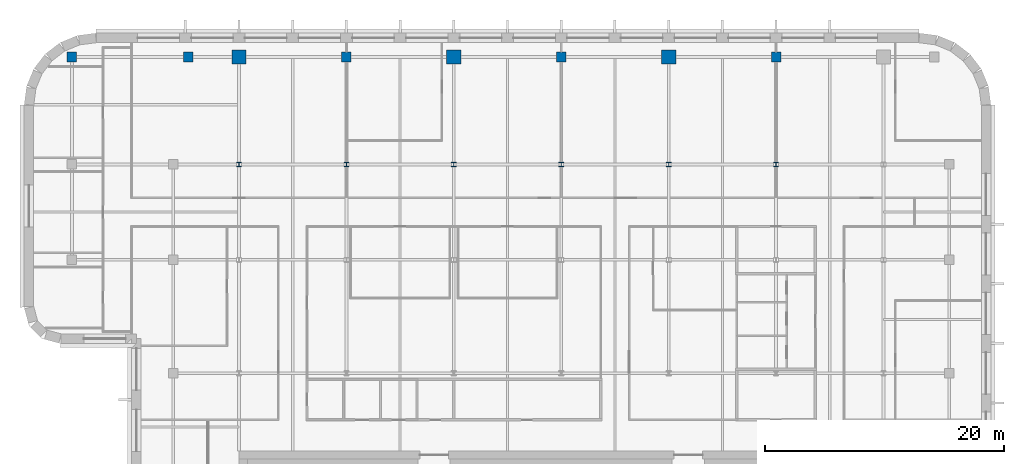
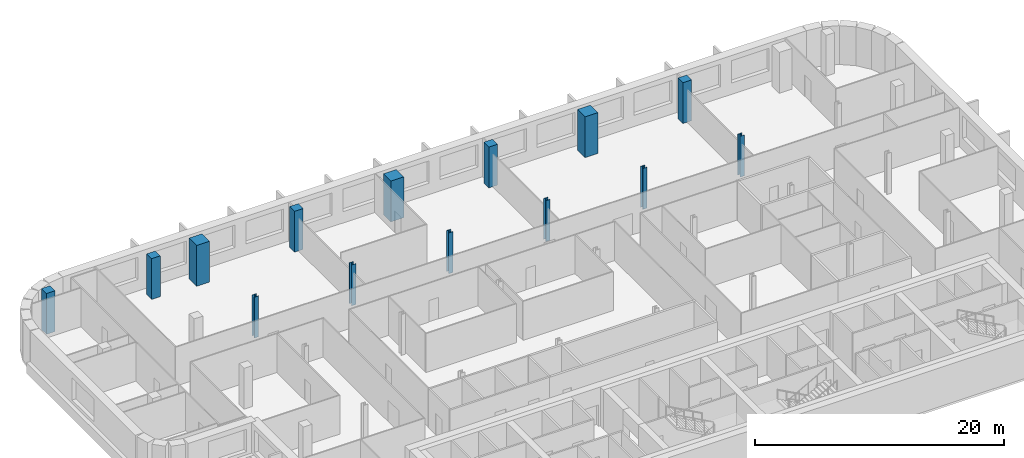
# One storey, part 3 of 17: 14 columns.
"""IFC4 building model written with IfcOpenShell, lengths in metres."""

import ifcopenshell
import ifcopenshell.guid

model = None  # the IFC model being written
_history = None  # IfcOwnerHistory: only IFC2X3 demands one
_inside = {}  # id of a spatial element -> (the spatial element, [elements in it])
_under = {}  # id of a project, library or spatial element -> (it, [spatial elements below it])
_declared = {}  # id of a project -> (the project, [libraries it declares])
_typed = {}  # id of a type object -> (the type object, [elements of that type])
_made_of = {}  # id of a material, layer set ... -> (it, [elements and type objects made of it])


def new_model(schema):
    """Start an empty IFC model of exactly this schema.

    Asked for "IFC4X3", IfcOpenShell would pick the latest addendum, in which some entities
    have other attributes; the version numbers below select the first issue.
    IFC2X3 requires an IfcOwnerHistory on every rooted entity: one is made here for all.
    """
    global model, _history
    if schema == "IFC4X3":
        model = ifcopenshell.file(schema_version=(4, 3, 0, 0))
    else:
        model = ifcopenshell.file(schema=schema)
    _inside.clear()
    _under.clear()
    _declared.clear()
    _typed.clear()
    _made_of.clear()
    _history = None
    if model.schema == "IFC2X3":
        org = make("IfcOrganization", Name="unknown")
        user = make(
            "IfcPersonAndOrganization",
            ThePerson=make("IfcPerson", FamilyName="unknown"),
            TheOrganization=org,
        )
        app = make(
            "IfcApplication",
            ApplicationDeveloper=org,
            Version="unknown",
            ApplicationFullName="unknown",
            ApplicationIdentifier="unknown",
        )
        _history = make(
            "IfcOwnerHistory",
            OwningUser=user,
            OwningApplication=app,
            ChangeAction="ADDED",
            CreationDate=0,
        )
    return model


def make(cls, **values):
    """One entity of the class cls with the attributes given. An attribute that is None is left unset."""
    return model.create_entity(
        cls, **{name: value for name, value in values.items() if value is not None}
    )


def rooted(cls, **values):
    """An entity with a GlobalId (a new one), such as an element, a storey or a relation."""
    return make(cls, GlobalId=ifcopenshell.guid.new(), OwnerHistory=_history, **values)


def si_unit(unit_type, name, prefix=None):
    """IfcSIUnit, for example si_unit("LENGTHUNIT", "METRE", prefix="MILLI")."""
    return make("IfcSIUnit", UnitType=unit_type, Prefix=prefix, Name=name)


def assignment(units):
    """IfcUnitAssignment: the units of a project."""
    return None if units is None else make("IfcUnitAssignment", Units=units)


def point(xyz):
    """IfcCartesianPoint."""
    return None if xyz is None else make("IfcCartesianPoint", Coordinates=xyz)


def direction(xyz):
    """IfcDirection."""
    return None if xyz is None else make("IfcDirection", DirectionRatios=xyz)


def frame(location, z_axis=None, x_axis=None):
    """IfcAxis2Placement3D, a coordinate frame: its origin and axes. An axis left out is left unset."""
    return make(
        "IfcAxis2Placement3D",
        Location=point(location),
        Axis=direction(z_axis),
        RefDirection=direction(x_axis),
    )


def frame_2d(location, x_axis=None):
    """IfcAxis2Placement2D, a coordinate frame in the plane: its origin and x axis."""
    return make(
        "IfcAxis2Placement2D", Location=point(location), RefDirection=direction(x_axis)
    )


def origin():
    """The frame at (0, 0, 0) with its axes left unset."""
    return frame((0.0, 0.0, 0.0))


def origin_2d():
    """The frame at (0, 0) in the plane with its x axis left unset."""
    return frame_2d((0.0, 0.0))


def place(relative_to, where):
    """IfcLocalPlacement: puts the frame where relative to a parent placement (None: the world)."""
    return make(
        "IfcLocalPlacement", PlacementRelTo=relative_to, RelativePlacement=where
    )


def context(
    kind, dimensions, precision=None, world=None, true_north=None, identifier=None
):
    """IfcGeometricRepresentationContext, for example the 3D "Model" context."""
    return make(
        "IfcGeometricRepresentationContext",
        ContextIdentifier=identifier,
        ContextType=kind,
        CoordinateSpaceDimension=dimensions,
        Precision=precision,
        WorldCoordinateSystem=world,
        TrueNorth=true_north,
    )


def subcontext(parent, identifier, kind, view, scale=None):
    """IfcGeometricRepresentationSubContext, for example "Body" below "Model"."""
    return make(
        "IfcGeometricRepresentationSubContext",
        ContextIdentifier=identifier,
        ContextType=kind,
        ParentContext=parent,
        TargetScale=scale,
        TargetView=view,
    )


def project(units=None, contexts=None):
    """IfcProject with its units and contexts."""
    return rooted(
        "IfcProject",
        Name="project",
        RepresentationContexts=contexts,
        UnitsInContext=assignment(units),
    )


def spatial(cls, under=None, at=None, **own):
    """A site, building, storey or space (cls), placed at a placement, below another one or the project."""
    s = rooted(cls, ObjectPlacement=at, **own)
    if under is not None:
        _under.setdefault(under.id(), (under, []))[1].append(s)
    return s


def profile(cls, at=None, kind="AREA", **sizes):
    """A parametric profile (cls). Its sizes go by their IFC names, for example OverallWidth=200.0."""
    return make(cls, ProfileType=kind, Position=at, **sizes)


def rectangle(**sizes):
    """IfcRectangleProfileDef."""
    return profile("IfcRectangleProfileDef", **sizes)


def i_section(**sizes):
    """IfcIShapeProfileDef."""
    return profile("IfcIShapeProfileDef", **sizes)


def extrude(swept, where, along, depth):
    """IfcExtrudedAreaSolid: the profile swept, set in the frame where, extruded along a direction by depth."""
    return make(
        "IfcExtrudedAreaSolid",
        SweptArea=swept,
        Position=where,
        ExtrudedDirection=direction(along),
        Depth=depth,
    )


def shape(context_of_items, identifier, shape_type, items):
    """IfcShapeRepresentation: the items that make up one representation, for example the "Body"."""
    return make(
        "IfcShapeRepresentation",
        ContextOfItems=context_of_items,
        RepresentationIdentifier=identifier,
        RepresentationType=shape_type,
        Items=items,
    )


def material(Name=None, Category=None):
    """IfcMaterial."""
    return make("IfcMaterial", Name=Name, Category=Category)


def material_profile(
    of_material, cross_section, Name=None, Category=None, Priority=None
):
    """IfcMaterialProfile: a cross section and its material."""
    return make(
        "IfcMaterialProfile",
        Name=Name,
        Material=of_material,
        Profile=cross_section,
        Priority=Priority,
        Category=Category,
    )


def profile_set(profiles, Name=None, composite=None):
    """IfcMaterialProfileSet."""
    return make(
        "IfcMaterialProfileSet",
        Name=Name,
        MaterialProfiles=profiles,
        CompositeProfile=composite,
    )


def made_of(thing, what):
    """Note that an element or type object is made of a material, layer set ...; save() writes the relation."""
    if what is not None:
        _made_of.setdefault(what.id(), (what, []))[1].append(thing)
    return thing


def type_object(cls, material=None, **own):
    """A type object (cls), such as IfcWallType, which elements share."""
    return made_of(rooted(cls, **own), material)


def element(
    cls,
    number,
    at=None,
    inside=None,
    cuts=None,
    type_object=None,
    material=None,
    context=None,
    identifier="Body",
    shape_type=None,
    held_by="IfcProductDefinitionShape",
    body=None,
    shapes=None,
    **own,
):
    """One element of the class cls, such as IfcWall. Its Tag is "e" and its number.

    at: its placement. inside: the storey or other place that contains it. cuts: it is an
    opening in that element (IfcRelVoidsElement). A single representation is given by context,
    identifier, shape_type and body (its items); several are given by shapes. held_by: the class
    of the entity that holds the representations. save() writes the other relations.
    """
    e = rooted(cls, Tag="e%d" % number, ObjectPlacement=at, **own)
    if body is not None:
        shapes = [shape(context, identifier, shape_type, body)]
    if shapes is not None:
        e.Representation = make(held_by, Representations=shapes)
    if inside is not None:
        _inside.setdefault(inside.id(), (inside, []))[1].append(e)
    if cuts is not None:
        rooted(
            "IfcRelVoidsElement", RelatingBuildingElement=cuts, RelatedOpeningElement=e
        )
    if type_object is not None:
        _typed.setdefault(type_object.id(), (type_object, []))[1].append(e)
    return made_of(e, material)


def aggregate(whole, parts):
    """IfcRelAggregates: a whole, such as a stair, and the parts it consists of."""
    return rooted("IfcRelAggregates", RelatingObject=whole, RelatedObjects=parts)


def save(model, path):
    """Write the relations noted so far, then the file.

    IfcRelAggregates (storeys below a building ...), IfcRelContainedInSpatialStructure (elements
    in a storey), IfcRelDefinesByType, IfcRelAssociatesMaterial and IfcRelDeclares: one each for
    every whole, place, type object, material and project.
    """
    for whole, parts in _under.values():
        aggregate(whole, parts)
    for where, things in _inside.values():
        rooted(
            "IfcRelContainedInSpatialStructure",
            RelatedElements=things,
            RelatingStructure=where,
        )
    for kind, things in _typed.values():
        rooted("IfcRelDefinesByType", RelatedObjects=things, RelatingType=kind)
    for what, things in _made_of.values():
        rooted("IfcRelAssociatesMaterial", RelatedObjects=things, RelatingMaterial=what)
    for by, libraries in _declared.values():
        rooted("IfcRelDeclares", RelatingContext=by, RelatedDefinitions=libraries)
    model.write(path)


model = new_model("IFC4")

# Units and contexts
model_context = context("Model", 3, precision=1e-05, world=origin(), true_north=direction((0.0, 1.0)))
body_context = subcontext(model_context, "Body", "Model", "MODEL_VIEW")
ifc_project = project(units=[si_unit("LENGTHUNIT", "METRE"), si_unit("AREAUNIT", "SQUARE_METRE"), si_unit("VOLUMEUNIT", "CUBIC_METRE"), si_unit("PLANEANGLEUNIT", "RADIAN"), si_unit("MASSUNIT", "GRAM", prefix="KILO")], contexts=[model_context])

# Site, building, storey
site_placement = place(None, origin())
site = spatial("IfcSite", under=ifc_project, at=site_placement, CompositionType="ELEMENT")
building_placement = place(site_placement, origin())
building = spatial("IfcBuilding", under=site, at=building_placement, Name="Zellij Exchange Tower", CompositionType="ELEMENT")
storey_placement = place(building_placement, frame((0.0, 0.0, 224.5)))
storey = spatial("IfcBuildingStorey", under=building, at=storey_placement, Name="L52", CompositionType="ELEMENT", Elevation=224.5)

# Columns
ifc_material_1 = material(Name="Concrete C50/60", Category="concrete")
ifc_material_profile_1 = material_profile(ifc_material_1, rectangle(XDim=0.800048828125, YDim=0.800048828125, at=origin_2d()), Name="STR-COLUMN RC800x800 C50/60")
ifc_profile_set_1 = profile_set([ifc_material_profile_1], Name="Concrete C50/60")
column_type_1 = type_object("IfcColumnType", Name="STR-COLUMN RC800x800 C50/60", PredefinedType="COLUMN", material=ifc_profile_set_1)
for number, where, z_axis, x_axis, name in (
    (1, (-41.0, 31.0, 0.0), (0.0, 0.0, 1.0), (1.0, 0.0, 0.0), "C15"),
    (2, (-31.25, 31.0, 0.0), (0.0, 0.0, 1.0), (1.0, 0.0, 0.0), "C15"),
    (3, (-18.0, 31.0, 0.0), (0.0, 0.0, 1.0), (1.0, 0.0, 0.0), "C15"),
    (4, (0.0, 31.0, 0.0), (0.0, 0.0, 1.0), (1.0, 0.0, 0.0), "C15"),
    (5, (18.0, 31.0, 0.0), (0.0, 0.0, 1.0), (1.0, 0.0, 0.0), "C15"),
):
    element("IfcColumn", number, at=place(storey_placement, frame(where, z_axis=z_axis, x_axis=x_axis)), inside=storey, type_object=column_type_1, Name=name, PredefinedType="COLUMN", context=body_context, shape_type="SweptSolid", body=[
        extrude(rectangle(XDim=0.800048828125, YDim=0.800048828125, at=origin_2d()), origin(), (0.0, 0.0, 1.0), 4.0),
    ])
ifc_material_2 = material(Name="Structural steel ASTM A992 Gr 50", Category="steel")
ifc_material_profile_2 = material_profile(ifc_material_2, i_section(OverallWidth=0.398681640625, OverallDepth=0.385986328125, WebThickness=0.02099609375, FlangeThickness=0.033203125, at=origin_2d()), Name="W14x176")
ifc_profile_set_2 = profile_set([ifc_material_profile_2], Name="Structural steel ASTM A992 Gr 50")
column_type_2 = type_object("IfcColumnType", Name="STR-COLUMN W14x176", PredefinedType="COLUMN", material=ifc_profile_set_2)
for number, where, z_axis, x_axis, name in (
    (6, (-27.0, 22.0, 0.0), (0.0, 0.0, 1.0), (1.0, 0.0, 0.0), "C2"),
    (7, (-18.0, 22.0, 0.0), (0.0, 0.0, 1.0), (1.0, 0.0, 0.0), "C2"),
    (8, (-9.0, 22.0, 0.0), (0.0, 0.0, 1.0), (1.0, 0.0, 0.0), "C2"),
    (9, (0.0, 22.0, 0.0), (0.0, 0.0, 1.0), (1.0, 0.0, 0.0), "C2"),
    (10, (9.0, 22.0, 0.0), (0.0, 0.0, 1.0), (1.0, 0.0, 0.0), "C2"),
    (11, (18.0, 22.0, 0.0), (0.0, 0.0, 1.0), (1.0, 0.0, 0.0), "C2"),
):
    element("IfcColumn", number, at=place(storey_placement, frame(where, z_axis=z_axis, x_axis=x_axis)), inside=storey, type_object=column_type_2, Name=name, PredefinedType="COLUMN", context=body_context, shape_type="SweptSolid", body=[
        extrude(i_section(OverallWidth=0.398681640625, OverallDepth=0.385986328125, WebThickness=0.02099609375, FlangeThickness=0.033203125, at=origin_2d()), origin(), (0.0, 0.0, 1.0), 4.0),
    ])
ifc_material_profile_3 = material_profile(ifc_material_1, rectangle(XDim=1.199951171875, YDim=1.199951171875, at=origin_2d()), Name="STR-MEGA COLUMN RC1200x1200 C50/60")
ifc_profile_set_3 = profile_set([ifc_material_profile_3], Name="Concrete C50/60")
column_type_3 = type_object("IfcColumnType", Name="STR-MEGA COLUMN RC1200x1200 C50/60", PredefinedType="COLUMN", material=ifc_profile_set_3)
for number, where, z_axis, x_axis, name in (
    (12, (-27.0, 31.0, 0.0), (0.0, 0.0, 1.0), (1.0, 0.0, 0.0), "MC2"),
    (13, (-9.0, 31.0, 0.0), (0.0, 0.0, 1.0), (1.0, 0.0, 0.0), "MC2"),
    (14, (9.0, 31.0, 0.0), (0.0, 0.0, 1.0), (1.0, 0.0, 0.0), "MC2"),
):
    element("IfcColumn", number, at=place(storey_placement, frame(where, z_axis=z_axis, x_axis=x_axis)), inside=storey, type_object=column_type_3, Name=name, PredefinedType="COLUMN", context=body_context, shape_type="SweptSolid", body=[
        extrude(rectangle(XDim=1.199951171875, YDim=1.199951171875, at=origin_2d()), origin(), (0.0, 0.0, 1.0), 4.0),
    ])

save(model, "model.ifc")
